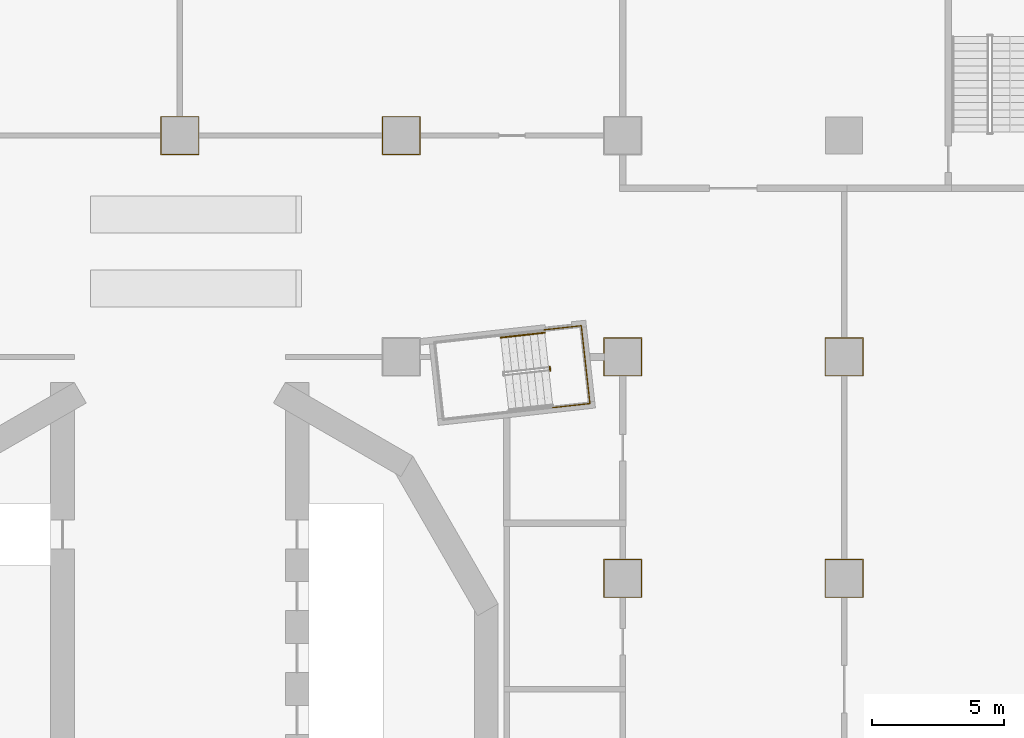
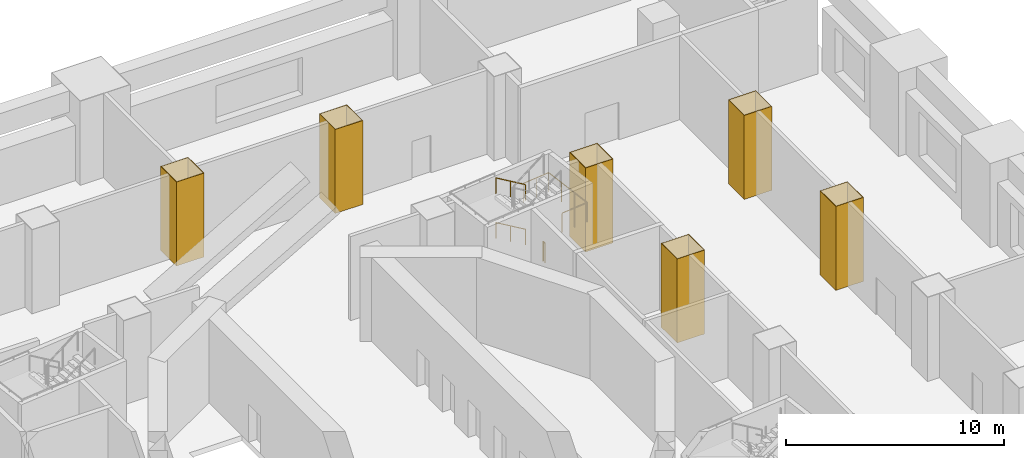
# One storey, part 15 of 19: 6 coverings, 4 railings.
"""IFC4 building model written with IfcOpenShell, lengths in metres."""

from ifc_helpers import new_model, si_unit, direction, frame, origin, origin_2d, place, context, subcontext, project, spatial, polyline, circle, outline, extrude, material, layer, layer_set, type_object, element, save


model = new_model("IFC4")

# Units and contexts
model_context = context("Model", 3, precision=1e-05, world=origin(), true_north=direction((0.0, 1.0)))
body_context = subcontext(model_context, "Body", "Model", "MODEL_VIEW")
ifc_project = project(units=[si_unit("LENGTHUNIT", "METRE"), si_unit("AREAUNIT", "SQUARE_METRE"), si_unit("VOLUMEUNIT", "CUBIC_METRE"), si_unit("PLANEANGLEUNIT", "RADIAN"), si_unit("MASSUNIT", "GRAM", prefix="KILO")], contexts=[model_context])

# Site, building, storey
site_placement = place(None, origin())
site = spatial("IfcSite", under=ifc_project, at=site_placement, CompositionType="ELEMENT")
building_placement = place(site_placement, origin())
building = spatial("IfcBuilding", under=site, at=building_placement, Name="Cantera Rosa Tower", CompositionType="ELEMENT")
storey_placement = place(building_placement, frame((0.0, 0.0, 12.0)))
storey = spatial("IfcBuildingStorey", under=building, at=storey_placement, Name="L01", CompositionType="ELEMENT", Elevation=12.0)

# Coverings
ifc_material_1 = material(Name="Plaster")
ifc_layer = layer(ifc_material_1, 0.030029296875)
ifc_layer_set = layer_set([ifc_layer], Name="Column casing 30")
covering_type = type_object("IfcCoveringType", Name="Column casing 30", PredefinedType="CLADDING", material=ifc_layer_set)
covering_1_placement = place(storey_placement, origin())
element("IfcCovering", 1, at=covering_1_placement, inside=storey, type_object=covering_type, Name="Column casing L01-018", PredefinedType="CLADDING", context=body_context, shape_type="SweptSolid", body=[
    extrude(outline(polyline([(-0.72998046875, 20.27001953125), (0.72998046875, 20.27001953125), (0.72998046875, 21.72998046875), (-0.72998046875, 21.72998046875), (-0.72998046875, 20.27001953125)]), holes=[polyline([(0.699951171875, 21.699951171875), (-0.699951171875, 21.699951171875), (-0.699951171875, 20.300048828125), (0.699951171875, 20.300048828125), (0.699951171875, 21.699951171875)])]), origin(), (0.0, 0.0, 1.0), 4.699951171875),
])
covering_2_placement = place(storey_placement, origin())
element("IfcCovering", 2, at=covering_2_placement, inside=storey, type_object=covering_type, Name="Column casing L01-023", PredefinedType="CLADDING", context=body_context, shape_type="SweptSolid", body=[
    extrude(outline(polyline([(7.669921875, 20.27001953125), (9.1298828125, 20.27001953125), (9.1298828125, 21.72998046875), (7.669921875, 21.72998046875), (7.669921875, 20.27001953125)]), holes=[polyline([(9.10009765625, 21.699951171875), (7.699951171875, 21.699951171875), (7.699951171875, 20.300048828125), (9.10009765625, 20.300048828125), (9.10009765625, 21.699951171875)])]), origin(), (0.0, 0.0, 1.0), 4.699951171875),
])
covering_3_placement = place(storey_placement, origin())
element("IfcCovering", 3, at=covering_3_placement, inside=storey, type_object=covering_type, Name="Column casing L01-028", PredefinedType="CLADDING", context=body_context, shape_type="SweptSolid", body=[
    extrude(outline(polyline([(16.070068359375, 3.469970703125), (17.530029296875, 3.469970703125), (17.530029296875, 4.929931640625), (16.070068359375, 4.929931640625), (16.070068359375, 3.469970703125)]), holes=[polyline([(17.5, 4.89990234375), (16.10009765625, 4.89990234375), (16.10009765625, 3.5), (17.5, 3.5), (17.5, 4.89990234375)])]), origin(), (0.0, 0.0, 1.0), 4.699951171875),
])
covering_4_placement = place(storey_placement, origin())
element("IfcCovering", 4, at=covering_4_placement, inside=storey, type_object=covering_type, Name="Column casing L01-029", PredefinedType="CLADDING", context=body_context, shape_type="SweptSolid", body=[
    extrude(outline(polyline([(16.070068359375, 11.8701171875), (17.530029296875, 11.8701171875), (17.530029296875, 13.330078125), (16.070068359375, 13.330078125), (16.070068359375, 11.8701171875)]), holes=[polyline([(17.5, 13.300048828125), (16.10009765625, 13.300048828125), (16.10009765625, 11.89990234375), (17.5, 11.89990234375), (17.5, 13.300048828125)])]), origin(), (0.0, 0.0, 1.0), 4.699951171875),
])
covering_5_placement = place(storey_placement, origin())
element("IfcCovering", 5, at=covering_5_placement, inside=storey, type_object=covering_type, Name="Column casing L01-034", PredefinedType="CLADDING", context=body_context, shape_type="SweptSolid", body=[
    extrude(outline(polyline([(24.469970703125, 3.469970703125), (25.929931640625, 3.469970703125), (25.929931640625, 4.929931640625), (24.469970703125, 4.929931640625), (24.469970703125, 3.469970703125)]), holes=[polyline([(25.89990234375, 4.89990234375), (24.5, 4.89990234375), (24.5, 3.5), (25.89990234375, 3.5), (25.89990234375, 4.89990234375)])]), origin(), (0.0, 0.0, 1.0), 4.699951171875),
])
covering_6_placement = place(storey_placement, origin())
element("IfcCovering", 6, at=covering_6_placement, inside=storey, type_object=covering_type, Name="Column casing L01-035", PredefinedType="CLADDING", context=body_context, shape_type="SweptSolid", body=[
    extrude(outline(polyline([(24.469970703125, 11.8701171875), (25.929931640625, 11.8701171875), (25.929931640625, 13.330078125), (24.469970703125, 13.330078125), (24.469970703125, 11.8701171875)]), holes=[polyline([(25.89990234375, 13.300048828125), (24.5, 13.300048828125), (24.5, 11.89990234375), (25.89990234375, 11.89990234375), (25.89990234375, 13.300048828125)])]), origin(), (0.0, 0.0, 1.0), 4.699951171875),
])

# Railings
ifc_material_2 = material(Name="Steel S355J2 (EN 10025-2)", Category="steel")
railing_type_1 = type_object("IfcRailingType", Name="STAIR GUARD 1100", PredefinedType="GUARDRAIL", material=ifc_material_2)
railing_1_placement = place(storey_placement, frame((14.032958984375, 12.234375, 0.0)))
element("IfcRailing", 7, at=railing_1_placement, inside=storey, type_object=railing_type_1, Name="L01 ST-11 stair guard 5", PredefinedType="GUARDRAIL", context=body_context, shape_type="SweptSolid", body=[
    extrude(circle(Radius=0.02392578125, at=origin_2d()), frame((0.0, 0.0, 1.076171875), z_axis=(0.109179471459, -0.994022053584, 0.0), x_axis=(0.994022053584, 0.109179471459, 0.0)), (0.0, 0.0, 1.0), 0.14990234375),
    extrude(circle(Radius=0.02099609375, at=origin_2d()), origin(), (0.0, 0.0, 1.0), 1.052001953125),
    extrude(circle(Radius=0.02099609375, at=origin_2d()), frame((0.016357421875, -0.14892578125, 0.0)), (0.0, 0.0, 1.0), 1.052001953125),
])
railing_2_placement = place(storey_placement, frame((13.815673828125, 13.629150390625, 2.5)))
element("IfcRailing", 8, at=railing_2_placement, inside=storey, type_object=railing_type_1, Name="L01 ST-11 stair guard 8", PredefinedType="GUARDRAIL", context=body_context, shape_type="SweptSolid", body=[
    extrude(circle(Radius=0.02392578125, at=origin_2d()), frame((0.0, 0.0, 1.076171875), z_axis=(0.993906744489, 0.110224240795, 0.0), x_axis=(-0.110224240795, 0.993906744489, 0.0)), (0.0, 0.0, 1.0), 1.421875),
    extrude(circle(Radius=0.02392578125, at=origin_2d()), frame((1.413330078125, 0.15673828125, 1.076171875), z_axis=(0.110314237986, -0.993896759678, 0.0), x_axis=(0.993896759678, 0.110314237986, 0.0)), (0.0, 0.0, 1.0), 2.969970703125),
    extrude(circle(Radius=0.02392578125, at=origin_2d()), frame((1.740966796875, -2.795166015625, 1.076171875), z_axis=(-0.993906744489, -0.110224240795, 0.0), x_axis=(0.110224240795, -0.993906744489, 0.0)), (0.0, 0.0, 1.0), 1.421875),
    extrude(circle(Radius=0.02099609375, at=origin_2d()), origin(), (0.0, 0.0, 1.0), 1.052001953125),
    extrude(circle(Radius=0.02099609375, at=origin_2d()), frame((0.70654296875, 0.078369140625, 0.0)), (0.0, 0.0, 1.0), 1.052001953125),
    extrude(circle(Radius=0.02099609375, at=origin_2d()), frame((1.413330078125, 0.15673828125, 0.0)), (0.0, 0.0, 1.0), 1.052001953125),
    extrude(circle(Radius=0.02099609375, at=origin_2d()), frame((1.5224609375, -0.8271484375, 0.0)), (0.0, 0.0, 1.0), 1.052001953125),
    extrude(circle(Radius=0.02099609375, at=origin_2d()), frame((1.6318359375, -1.811279296875, 0.0)), (0.0, 0.0, 1.0), 1.052001953125),
    extrude(circle(Radius=0.02099609375, at=origin_2d()), frame((1.740966796875, -2.795166015625, 0.0)), (0.0, 0.0, 1.0), 1.052001953125),
    extrude(circle(Radius=0.02099609375, at=origin_2d()), frame((1.0341796875, -2.87353515625, 0.0)), (0.0, 0.0, 1.0), 1.052001953125),
    extrude(circle(Radius=0.02099609375, at=origin_2d()), frame((0.32763671875, -2.951904296875, 0.0)), (0.0, 0.0, 1.0), 1.052001953125),
])
ifc_material_3 = material(Name="Steel S355J2 (EN 10025-2)", Category="steel")
railing_type_2 = type_object("IfcRailingType", Name="STAIR HANDRAIL 900", PredefinedType="HANDRAIL", material=ifc_material_3)
for number, where, name in (
    (9, (13.83984375, 13.52099609375, 0.178466796875), "L01 ST-11 stair handrail 1"),
    (10, (13.83984375, 13.52099609375, 2.678466796875), "L01 ST-11 stair handrail 3"),
):
    element("IfcRailing", number, at=place(storey_placement, frame(where)), inside=storey, type_object=railing_type_2, Name=name, PredefinedType="HANDRAIL", context=body_context, shape_type="SweptSolid", body=[
        extrude(circle(Radius=0.02392578125, at=origin_2d()), frame((0.0, 0.0, 0.8759765625), z_axis=(-0.837987391448, -0.092987197384, 0.537708576179), x_axis=(0.11028798999, -0.993899672635, 0.0)), (0.0, 0.0, 1.0), 1.99267578125),
        extrude(circle(Radius=0.02099609375, at=origin_2d()), origin(), (0.0, 0.0, 1.0), 0.851806640625),
        extrude(circle(Radius=0.02099609375, at=origin_2d()), frame((-0.8349609375, -0.0927734375, 0.53564453125)), (0.0, 0.0, 1.0), 0.851806640625),
        extrude(circle(Radius=0.02099609375, at=origin_2d()), frame((-1.669921875, -0.185302734375, 1.071533203125)), (0.0, 0.0, 1.0), 0.851806640625),
    ])

save(model, "model.ifc")
